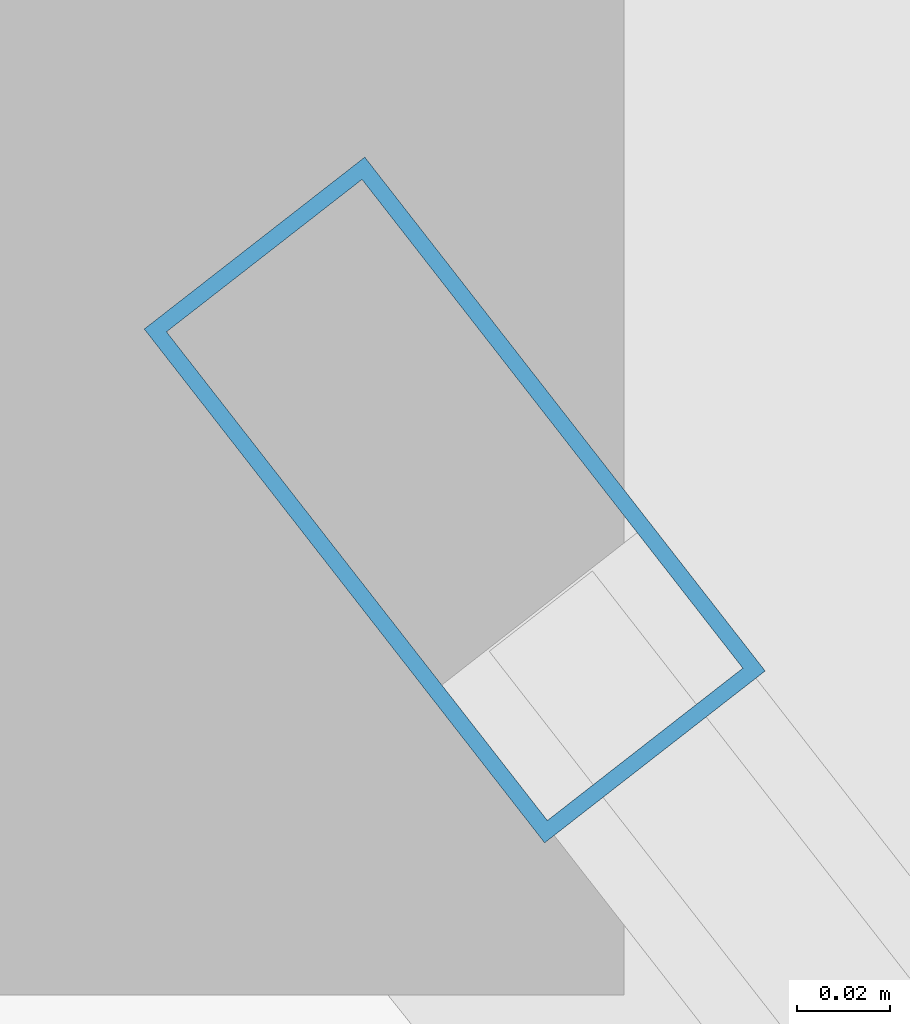
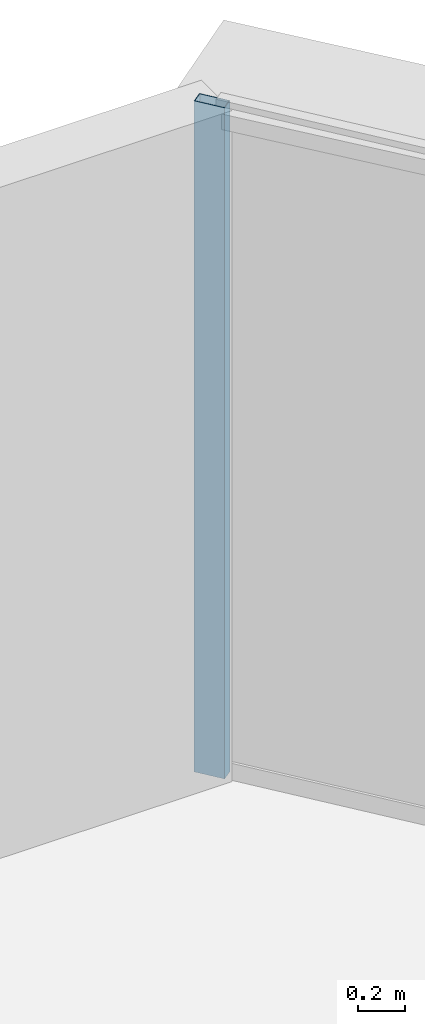
# One storey, part 25 of 37: 1 member, 1 element without a shape of its own.
"""IFC4 building model written with IfcOpenShell, lengths in metres."""

from ifc_helpers import new_model, si_unit, direction, frame, origin, origin_2d, place, context, subcontext, project, spatial, hollow_rectangle, extrude, source, transform, mapped, material, layer, layer_set, material_profile, profile_set, type_object, element, aggregate, save


model = new_model("IFC4")

# Units and contexts
model_context = context("Model", 3, precision=1e-05, world=origin(), true_north=direction((0.0, 1.0)))
body_context = subcontext(model_context, "Body", "Model", "MODEL_VIEW")
ifc_project = project(units=[si_unit("LENGTHUNIT", "METRE"), si_unit("AREAUNIT", "SQUARE_METRE"), si_unit("VOLUMEUNIT", "CUBIC_METRE"), si_unit("PLANEANGLEUNIT", "RADIAN"), si_unit("MASSUNIT", "GRAM", prefix="KILO"), si_unit("THERMODYNAMICTEMPERATUREUNIT", "KELVIN"), si_unit("POWERUNIT", "WATT")], contexts=[model_context])

# Site, building, storey
site_placement = place(None, origin())
site = spatial("IfcSite", under=ifc_project, at=site_placement, CompositionType="ELEMENT")
building_placement = place(site_placement, origin())
building = spatial("IfcBuilding", under=site, at=building_placement, Name="Yunzhuo Pagoda Commons", CompositionType="ELEMENT")
storey_placement = place(building_placement, frame((0.0, 0.0, 277.56005859375)))
storey = spatial("IfcBuildingStorey", under=building, at=storey_placement, Name="L69", CompositionType="ELEMENT", Elevation=277.56005859375)

# Curtain wall, member
ifc_material = material(Name="Anodized aluminium 6063-T6", Category="aluminium")
ifc_layer = layer(ifc_material, 0.139892578125)
ifc_layer_set = layer_set([ifc_layer], Name="Anodized aluminium 6063-T6")
curtain_wall_type = type_object("IfcCurtainWallType", Name="CW-HI High-Zone Ribbon Curtain Wall", PredefinedType="NOTDEFINED", material=ifc_layer_set)
curtain_wall_placement = place(storey_placement, origin())
curtain_wall = element("IfcCurtainWall", 1, at=curtain_wall_placement, inside=storey, type_object=curtain_wall_type, Name="L69 curtain wall CW-L69-F2B5", PredefinedType="NOTDEFINED")
ifc_material_profile = material_profile(ifc_material, hollow_rectangle(XDim=0.06005859375, YDim=0.139892578125, WallThickness=0.00341796875, at=origin_2d()), Name="Anodized aluminium 6063-T6")
ifc_profile_set = profile_set([ifc_material_profile], Name="Anodized aluminium 6063-T6")
member_type = type_object("IfcMemberType", Name="CW-HI-M Mullion RHS 140x60x3.5", PredefinedType="MULLION", material=ifc_profile_set)
shared_shape = source(origin(), body_context, "Body", "SweptSolid", [
    extrude(hollow_rectangle(XDim=0.06005859375, YDim=0.139892578125, WallThickness=0.00341796875, at=origin_2d()), origin(), (0.0, 0.0, 1.0), 3.469970703125),
])
member_placement = place(storey_placement, frame((51.595703125, 76.769287109375, 0.0), z_axis=(0.0, 0.0, 1.0), x_axis=(-0.78878314481, -0.614671579353, 0.0)))
member = element("IfcMember", 2, at=member_placement, type_object=member_type, Name="CW mullion 2", PredefinedType="MULLION", context=body_context, shape_type="MappedRepresentation", body=[
    mapped(shared_shape, transform((0.0, 0.0, 0.0), scale=1.0)),
])
aggregate(curtain_wall, [member])

save(model, "model.ifc")
